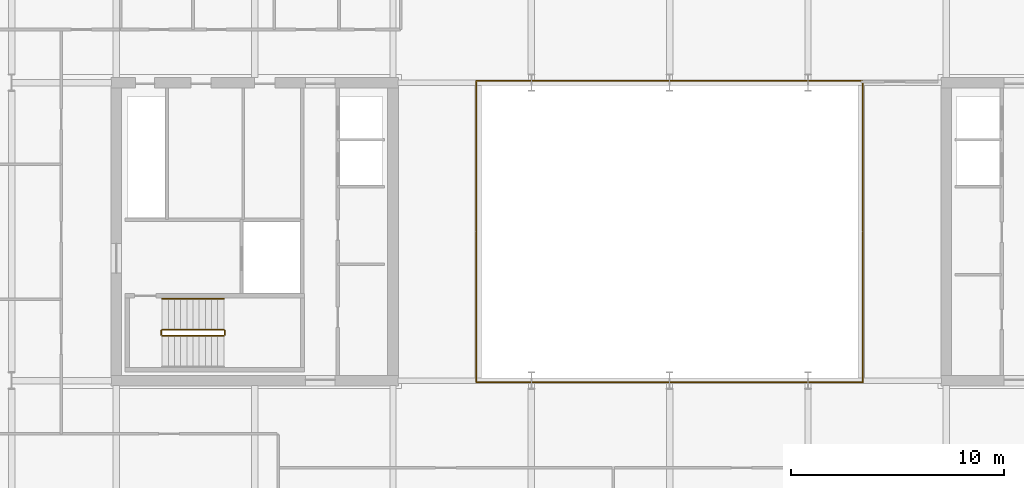
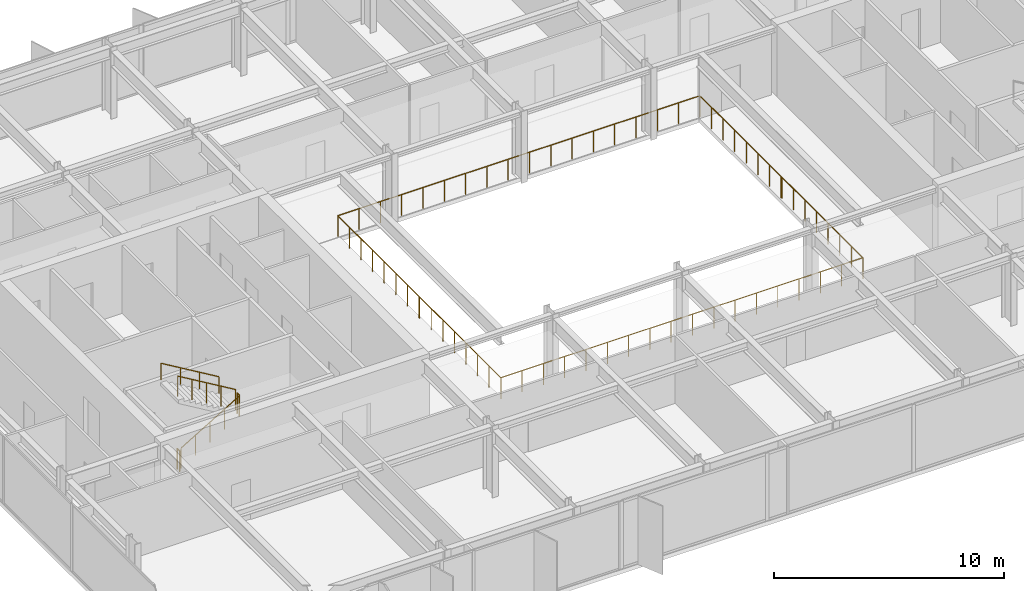
# One storey, part 16 of 19: 7 railings.
"""IFC4 building model written with IfcOpenShell, lengths in metres."""

from ifc_helpers import new_model, si_unit, direction, frame, origin, origin_2d, place, context, subcontext, project, spatial, circle, extrude, material, type_object, element, save


model = new_model("IFC4")

# Units and contexts
model_context = context("Model", 3, precision=1e-05, world=origin(), true_north=direction((0.0, 1.0)))
body_context = subcontext(model_context, "Body", "Model", "MODEL_VIEW")
ifc_project = project(units=[si_unit("LENGTHUNIT", "METRE"), si_unit("AREAUNIT", "SQUARE_METRE"), si_unit("VOLUMEUNIT", "CUBIC_METRE"), si_unit("PLANEANGLEUNIT", "RADIAN"), si_unit("MASSUNIT", "GRAM", prefix="KILO")], contexts=[model_context])

# Site, building, storey
site_placement = place(None, origin())
site = spatial("IfcSite", under=ifc_project, at=site_placement, CompositionType="ELEMENT")
building_placement = place(site_placement, origin())
building = spatial("IfcBuilding", under=site, at=building_placement, Name="Putna Gate Headquarters", CompositionType="ELEMENT")
storey_placement = place(building_placement, frame((0.0, 0.0, 255.60009765625)))
storey = spatial("IfcBuildingStorey", under=building, at=storey_placement, Name="L64", CompositionType="ELEMENT", Elevation=255.60009765625)

# Railings
ifc_material_1 = material(Name="Anodised bronze and laminated glass atrium balustrade", Category="glass")
railing_type_1 = type_object("IfcRailingType", Name="RAIL-ATRIUM-GUARD-1150", PredefinedType="GUARDRAIL", material=ifc_material_1)
railing_1_placement = place(storey_placement, frame((29.919921875, 25.969970703125, 0.0)))
element("IfcRailing", 1, at=railing_1_placement, inside=storey, type_object=railing_type_1, Name="L64 Central Atrium Glazed Balustrade South", PredefinedType="GUARDRAIL", context=body_context, shape_type="SweptSolid", body=[
    extrude(circle(Radius=0.02392578125, at=origin_2d()), frame((0.0, 0.0, 1.1259765625), z_axis=(0.0, -1.0, 0.0), x_axis=(1.0, 0.0, 0.0)), (0.0, 0.0, 1.0), 7.050048828125),
    extrude(circle(Radius=0.02392578125, at=origin_2d()), frame((0.0, -7.050048828125, 1.1259765625), z_axis=(1.0, 0.0, 0.0), x_axis=(0.0, 1.0, 0.0)), (0.0, 0.0, 1.0), 18.16015625),
    extrude(circle(Radius=0.02392578125, at=origin_2d()), frame((18.16015625, -7.050048828125, 1.1259765625), z_axis=(0.0, 1.0, 0.0), x_axis=(-1.0, 0.0, 0.0)), (0.0, 0.0, 1.0), 7.050048828125),
    extrude(circle(Radius=0.02099609375, at=origin_2d()), origin(), (0.0, 0.0, 1.0), 1.101806640625),
    extrude(circle(Radius=0.02099609375, at=origin_2d()), frame((0.0, -1.007080078125, 0.0)), (0.0, 0.0, 1.0), 1.101806640625),
    extrude(circle(Radius=0.02099609375, at=origin_2d()), frame((0.0, -2.014404296875, 0.0)), (0.0, 0.0, 1.0), 1.101806640625),
    extrude(circle(Radius=0.02099609375, at=origin_2d()), frame((0.0, -3.021484375, 0.0)), (0.0, 0.0, 1.0), 1.101806640625),
    extrude(circle(Radius=0.02099609375, at=origin_2d()), frame((0.0, -4.028564453125, 0.0)), (0.0, 0.0, 1.0), 1.101806640625),
    extrude(circle(Radius=0.02099609375, at=origin_2d()), frame((0.0, -5.03564453125, 0.0)), (0.0, 0.0, 1.0), 1.101806640625),
    extrude(circle(Radius=0.02099609375, at=origin_2d()), frame((0.0, -6.04296875, 0.0)), (0.0, 0.0, 1.0), 1.101806640625),
    extrude(circle(Radius=0.02099609375, at=origin_2d()), frame((0.0, -7.050048828125, 0.0)), (0.0, 0.0, 1.0), 1.101806640625),
    extrude(circle(Radius=0.02099609375, at=origin_2d()), frame((1.068359375, -7.050048828125, 0.0)), (0.0, 0.0, 1.0), 1.101806640625),
    extrude(circle(Radius=0.02099609375, at=origin_2d()), frame((2.136474609375, -7.050048828125, 0.0)), (0.0, 0.0, 1.0), 1.101806640625),
    extrude(circle(Radius=0.02099609375, at=origin_2d()), frame((3.204833984375, -7.050048828125, 0.0)), (0.0, 0.0, 1.0), 1.101806640625),
    extrude(circle(Radius=0.02099609375, at=origin_2d()), frame((4.27294921875, -7.050048828125, 0.0)), (0.0, 0.0, 1.0), 1.101806640625),
    extrude(circle(Radius=0.02099609375, at=origin_2d()), frame((5.34130859375, -7.050048828125, 0.0)), (0.0, 0.0, 1.0), 1.101806640625),
    extrude(circle(Radius=0.02099609375, at=origin_2d()), frame((6.409423828125, -7.050048828125, 0.0)), (0.0, 0.0, 1.0), 1.101806640625),
    extrude(circle(Radius=0.02099609375, at=origin_2d()), frame((7.477783203125, -7.050048828125, 0.0)), (0.0, 0.0, 1.0), 1.101806640625),
    extrude(circle(Radius=0.02099609375, at=origin_2d()), frame((8.5458984375, -7.050048828125, 0.0)), (0.0, 0.0, 1.0), 1.101806640625),
    extrude(circle(Radius=0.02099609375, at=origin_2d()), frame((9.6142578125, -7.050048828125, 0.0)), (0.0, 0.0, 1.0), 1.101806640625),
    extrude(circle(Radius=0.02099609375, at=origin_2d()), frame((10.682373046875, -7.050048828125, 0.0)), (0.0, 0.0, 1.0), 1.101806640625),
    extrude(circle(Radius=0.02099609375, at=origin_2d()), frame((11.750732421875, -7.050048828125, 0.0)), (0.0, 0.0, 1.0), 1.101806640625),
    extrude(circle(Radius=0.02099609375, at=origin_2d()), frame((12.81884765625, -7.050048828125, 0.0)), (0.0, 0.0, 1.0), 1.101806640625),
    extrude(circle(Radius=0.02099609375, at=origin_2d()), frame((13.88720703125, -7.050048828125, 0.0)), (0.0, 0.0, 1.0), 1.101806640625),
    extrude(circle(Radius=0.02099609375, at=origin_2d()), frame((14.955322265625, -7.050048828125, 0.0)), (0.0, 0.0, 1.0), 1.101806640625),
    extrude(circle(Radius=0.02099609375, at=origin_2d()), frame((16.023681640625, -7.050048828125, 0.0)), (0.0, 0.0, 1.0), 1.101806640625),
    extrude(circle(Radius=0.02099609375, at=origin_2d()), frame((17.091796875, -7.050048828125, 0.0)), (0.0, 0.0, 1.0), 1.101806640625),
    extrude(circle(Radius=0.02099609375, at=origin_2d()), frame((18.16015625, -7.050048828125, 0.0)), (0.0, 0.0, 1.0), 1.101806640625),
    extrude(circle(Radius=0.02099609375, at=origin_2d()), frame((18.16015625, -6.04296875, 0.0)), (0.0, 0.0, 1.0), 1.101806640625),
    extrude(circle(Radius=0.02099609375, at=origin_2d()), frame((18.16015625, -5.03564453125, 0.0)), (0.0, 0.0, 1.0), 1.101806640625),
    extrude(circle(Radius=0.02099609375, at=origin_2d()), frame((18.16015625, -4.028564453125, 0.0)), (0.0, 0.0, 1.0), 1.101806640625),
    extrude(circle(Radius=0.02099609375, at=origin_2d()), frame((18.16015625, -3.021484375, 0.0)), (0.0, 0.0, 1.0), 1.101806640625),
    extrude(circle(Radius=0.02099609375, at=origin_2d()), frame((18.16015625, -2.014404296875, 0.0)), (0.0, 0.0, 1.0), 1.101806640625),
    extrude(circle(Radius=0.02099609375, at=origin_2d()), frame((18.16015625, -1.007080078125, 0.0)), (0.0, 0.0, 1.0), 1.101806640625),
    extrude(circle(Radius=0.02099609375, at=origin_2d()), frame((18.16015625, 0.0, 0.0)), (0.0, 0.0, 1.0), 1.101806640625),
])
railing_2_placement = place(storey_placement, frame((48.080078125, 26.030029296875, 0.0)))
element("IfcRailing", 2, at=railing_2_placement, inside=storey, type_object=railing_type_1, Name="L64 Central Atrium Glazed Balustrade North", PredefinedType="GUARDRAIL", context=body_context, shape_type="SweptSolid", body=[
    extrude(circle(Radius=0.02392578125, at=origin_2d()), frame((0.0, 0.0, 1.1259765625), z_axis=(0.0, 1.0, 0.0), x_axis=(-1.0, 0.0, 0.0)), (0.0, 0.0, 1.0), 7.050048828125),
    extrude(circle(Radius=0.02392578125, at=origin_2d()), frame((0.0, 7.050048828125, 1.1259765625), z_axis=(-1.0, 0.0, 0.0), x_axis=(0.0, -1.0, 0.0)), (0.0, 0.0, 1.0), 18.16015625),
    extrude(circle(Radius=0.02392578125, at=origin_2d()), frame((-18.16015625, 7.050048828125, 1.1259765625), z_axis=(0.0, -1.0, 0.0), x_axis=(1.0, 0.0, 0.0)), (0.0, 0.0, 1.0), 7.050048828125),
    extrude(circle(Radius=0.02099609375, at=origin_2d()), origin(), (0.0, 0.0, 1.0), 1.101806640625),
    extrude(circle(Radius=0.02099609375, at=origin_2d()), frame((0.0, 1.007080078125, 0.0)), (0.0, 0.0, 1.0), 1.101806640625),
    extrude(circle(Radius=0.02099609375, at=origin_2d()), frame((0.0, 2.014404296875, 0.0)), (0.0, 0.0, 1.0), 1.101806640625),
    extrude(circle(Radius=0.02099609375, at=origin_2d()), frame((0.0, 3.021484375, 0.0)), (0.0, 0.0, 1.0), 1.101806640625),
    extrude(circle(Radius=0.02099609375, at=origin_2d()), frame((0.0, 4.028564453125, 0.0)), (0.0, 0.0, 1.0), 1.101806640625),
    extrude(circle(Radius=0.02099609375, at=origin_2d()), frame((0.0, 5.03564453125, 0.0)), (0.0, 0.0, 1.0), 1.101806640625),
    extrude(circle(Radius=0.02099609375, at=origin_2d()), frame((0.0, 6.04296875, 0.0)), (0.0, 0.0, 1.0), 1.101806640625),
    extrude(circle(Radius=0.02099609375, at=origin_2d()), frame((0.0, 7.050048828125, 0.0)), (0.0, 0.0, 1.0), 1.101806640625),
    extrude(circle(Radius=0.02099609375, at=origin_2d()), frame((-1.068359375, 7.050048828125, 0.0)), (0.0, 0.0, 1.0), 1.101806640625),
    extrude(circle(Radius=0.02099609375, at=origin_2d()), frame((-2.136474609375, 7.050048828125, 0.0)), (0.0, 0.0, 1.0), 1.101806640625),
    extrude(circle(Radius=0.02099609375, at=origin_2d()), frame((-3.204833984375, 7.050048828125, 0.0)), (0.0, 0.0, 1.0), 1.101806640625),
    extrude(circle(Radius=0.02099609375, at=origin_2d()), frame((-4.27294921875, 7.050048828125, 0.0)), (0.0, 0.0, 1.0), 1.101806640625),
    extrude(circle(Radius=0.02099609375, at=origin_2d()), frame((-5.34130859375, 7.050048828125, 0.0)), (0.0, 0.0, 1.0), 1.101806640625),
    extrude(circle(Radius=0.02099609375, at=origin_2d()), frame((-6.409423828125, 7.050048828125, 0.0)), (0.0, 0.0, 1.0), 1.101806640625),
    extrude(circle(Radius=0.02099609375, at=origin_2d()), frame((-7.477783203125, 7.050048828125, 0.0)), (0.0, 0.0, 1.0), 1.101806640625),
    extrude(circle(Radius=0.02099609375, at=origin_2d()), frame((-8.5458984375, 7.050048828125, 0.0)), (0.0, 0.0, 1.0), 1.101806640625),
    extrude(circle(Radius=0.02099609375, at=origin_2d()), frame((-9.6142578125, 7.050048828125, 0.0)), (0.0, 0.0, 1.0), 1.101806640625),
    extrude(circle(Radius=0.02099609375, at=origin_2d()), frame((-10.682373046875, 7.050048828125, 0.0)), (0.0, 0.0, 1.0), 1.101806640625),
    extrude(circle(Radius=0.02099609375, at=origin_2d()), frame((-11.750732421875, 7.050048828125, 0.0)), (0.0, 0.0, 1.0), 1.101806640625),
    extrude(circle(Radius=0.02099609375, at=origin_2d()), frame((-12.81884765625, 7.050048828125, 0.0)), (0.0, 0.0, 1.0), 1.101806640625),
    extrude(circle(Radius=0.02099609375, at=origin_2d()), frame((-13.88720703125, 7.050048828125, 0.0)), (0.0, 0.0, 1.0), 1.101806640625),
    extrude(circle(Radius=0.02099609375, at=origin_2d()), frame((-14.955322265625, 7.050048828125, 0.0)), (0.0, 0.0, 1.0), 1.101806640625),
    extrude(circle(Radius=0.02099609375, at=origin_2d()), frame((-16.023681640625, 7.050048828125, 0.0)), (0.0, 0.0, 1.0), 1.101806640625),
    extrude(circle(Radius=0.02099609375, at=origin_2d()), frame((-17.091796875, 7.050048828125, 0.0)), (0.0, 0.0, 1.0), 1.101806640625),
    extrude(circle(Radius=0.02099609375, at=origin_2d()), frame((-18.16015625, 7.050048828125, 0.0)), (0.0, 0.0, 1.0), 1.101806640625),
    extrude(circle(Radius=0.02099609375, at=origin_2d()), frame((-18.16015625, 6.04296875, 0.0)), (0.0, 0.0, 1.0), 1.101806640625),
    extrude(circle(Radius=0.02099609375, at=origin_2d()), frame((-18.16015625, 5.03564453125, 0.0)), (0.0, 0.0, 1.0), 1.101806640625),
    extrude(circle(Radius=0.02099609375, at=origin_2d()), frame((-18.16015625, 4.028564453125, 0.0)), (0.0, 0.0, 1.0), 1.101806640625),
    extrude(circle(Radius=0.02099609375, at=origin_2d()), frame((-18.16015625, 3.021484375, 0.0)), (0.0, 0.0, 1.0), 1.101806640625),
    extrude(circle(Radius=0.02099609375, at=origin_2d()), frame((-18.16015625, 2.014404296875, 0.0)), (0.0, 0.0, 1.0), 1.101806640625),
    extrude(circle(Radius=0.02099609375, at=origin_2d()), frame((-18.16015625, 1.007080078125, 0.0)), (0.0, 0.0, 1.0), 1.101806640625),
    extrude(circle(Radius=0.02099609375, at=origin_2d()), frame((-18.16015625, 0.0, 0.0)), (0.0, 0.0, 1.0), 1.101806640625),
])
ifc_material_2 = material(Name="Powder-coated steel stair guardrail", Category="steel")
railing_type_2 = type_object("IfcRailingType", Name="RAIL-STAIR-GUARD-1100", PredefinedType="GUARDRAIL", material=ifc_material_2)
railing_3_placement = place(storey_placement, frame((15.14990234375, 21.10009765625, 0.172607421875)))
element("IfcRailing", 3, at=railing_3_placement, inside=storey, type_object=railing_type_2, Name="L64 ST1 stair guard 1", PredefinedType="GUARDRAIL", context=body_context, shape_type="SweptSolid", body=[
    extrude(circle(Radius=0.02392578125, at=origin_2d()), frame((0.0, 0.0, 1.076171875), z_axis=(0.859160404282, 0.0, 0.51170636083), x_axis=(0.0, 1.0, 0.0)), (0.0, 0.0, 1.0), 3.37548828125),
    extrude(circle(Radius=0.02099609375, at=origin_2d()), origin(), (0.0, 0.0, 1.0), 1.052001953125),
    extrude(circle(Radius=0.02099609375, at=origin_2d()), frame((0.72509765625, 0.0, 0.431884765625)), (0.0, 0.0, 1.0), 1.052001953125),
    extrude(circle(Radius=0.02099609375, at=origin_2d()), frame((1.4501953125, 0.0, 0.86376953125)), (0.0, 0.0, 1.0), 1.052001953125),
    extrude(circle(Radius=0.02099609375, at=origin_2d()), frame((2.175048828125, 0.0, 1.29541015625)), (0.0, 0.0, 1.0), 1.052001953125),
    extrude(circle(Radius=0.02099609375, at=origin_2d()), frame((2.900146484375, 0.0, 1.727294921875)), (0.0, 0.0, 1.0), 1.052001953125),
])
railing_4_placement = place(storey_placement, frame((18.10009765625, 21.14990234375, 1.89990234375)))
element("IfcRailing", 4, at=railing_4_placement, inside=storey, type_object=railing_type_2, Name="L64 ST1 stair guard 2", PredefinedType="GUARDRAIL", context=body_context, shape_type="SweptSolid", body=[
    extrude(circle(Radius=0.02392578125, at=origin_2d()), frame((0.0, 0.0, 1.076171875), z_axis=(0.0, 1.0, 0.0), x_axis=(-1.0, 0.0, 0.0)), (0.0, 0.0, 1.0), 0.2001953125),
    extrude(circle(Radius=0.02099609375, at=origin_2d()), origin(), (0.0, 0.0, 1.0), 1.052001953125),
    extrude(circle(Radius=0.02099609375, at=origin_2d()), frame((0.0, 0.2001953125, 0.0)), (0.0, 0.0, 1.0), 1.052001953125),
])
railing_5_placement = place(storey_placement, frame((18.050048828125, 21.39990234375, 2.072509765625)))
element("IfcRailing", 5, at=railing_5_placement, inside=storey, type_object=railing_type_2, Name="L64 ST1 stair guard 3", PredefinedType="GUARDRAIL", context=body_context, shape_type="SweptSolid", body=[
    extrude(circle(Radius=0.02392578125, at=origin_2d()), frame((0.0, 0.0, 1.076171875), z_axis=(-0.859160404282, 0.0, 0.51170636083), x_axis=(0.0, -1.0, 0.0)), (0.0, 0.0, 1.0), 3.37548828125),
    extrude(circle(Radius=0.02099609375, at=origin_2d()), origin(), (0.0, 0.0, 1.0), 1.052001953125),
    extrude(circle(Radius=0.02099609375, at=origin_2d()), frame((-0.72509765625, 0.0, 0.431884765625)), (0.0, 0.0, 1.0), 1.052001953125),
    extrude(circle(Radius=0.02099609375, at=origin_2d()), frame((-1.4501953125, 0.0, 0.86376953125)), (0.0, 0.0, 1.0), 1.052001953125),
    extrude(circle(Radius=0.02099609375, at=origin_2d()), frame((-2.175048828125, 0.0, 1.29541015625)), (0.0, 0.0, 1.0), 1.052001953125),
    extrude(circle(Radius=0.02099609375, at=origin_2d()), frame((-2.900146484375, 0.0, 1.727294921875)), (0.0, 0.0, 1.0), 1.052001953125),
])
railing_6_placement = place(storey_placement, frame((15.10009765625, 21.14990234375, 0.0)))
element("IfcRailing", 6, at=railing_6_placement, inside=storey, type_object=railing_type_2, Name="L64 ST1 stair guard 4", PredefinedType="GUARDRAIL", context=body_context, shape_type="SweptSolid", body=[
    extrude(circle(Radius=0.02392578125, at=origin_2d()), frame((0.0, 0.0, 1.076171875), z_axis=(0.0, 1.0, 0.0), x_axis=(-1.0, 0.0, 0.0)), (0.0, 0.0, 1.0), 0.2001953125),
    extrude(circle(Radius=0.02099609375, at=origin_2d()), origin(), (0.0, 0.0, 1.0), 1.052001953125),
    extrude(circle(Radius=0.02099609375, at=origin_2d()), frame((0.0, 0.2001953125, 0.0)), (0.0, 0.0, 1.0), 1.052001953125),
])
ifc_material_3 = material(Name="Brushed stainless steel handrail", Category="steel")
railing_type_3 = type_object("IfcRailingType", Name="RAIL-STAIR-HAND-900", PredefinedType="HANDRAIL", material=ifc_material_3)
railing_7_placement = place(storey_placement, frame((18.050048828125, 22.85009765625, 2.072509765625)))
element("IfcRailing", 7, at=railing_7_placement, inside=storey, type_object=railing_type_3, Name="L64 ST1 stair handrail 2", PredefinedType="HANDRAIL", context=body_context, shape_type="SweptSolid", body=[
    extrude(circle(Radius=0.02392578125, at=origin_2d()), frame((0.0, 0.0, 0.8759765625), z_axis=(-0.859160404282, 0.0, 0.51170636083), x_axis=(0.0, -1.0, 0.0)), (0.0, 0.0, 1.0), 3.37548828125),
    extrude(circle(Radius=0.02099609375, at=origin_2d()), origin(), (0.0, 0.0, 1.0), 0.851806640625),
    extrude(circle(Radius=0.02099609375, at=origin_2d()), frame((-0.966796875, 0.0, 0.57568359375)), (0.0, 0.0, 1.0), 0.851806640625),
    extrude(circle(Radius=0.02099609375, at=origin_2d()), frame((-1.933349609375, 0.0, 1.151611328125)), (0.0, 0.0, 1.0), 0.851806640625),
    extrude(circle(Radius=0.02099609375, at=origin_2d()), frame((-2.900146484375, 0.0, 1.727294921875)), (0.0, 0.0, 1.0), 0.851806640625),
])

save(model, "model.ifc")
